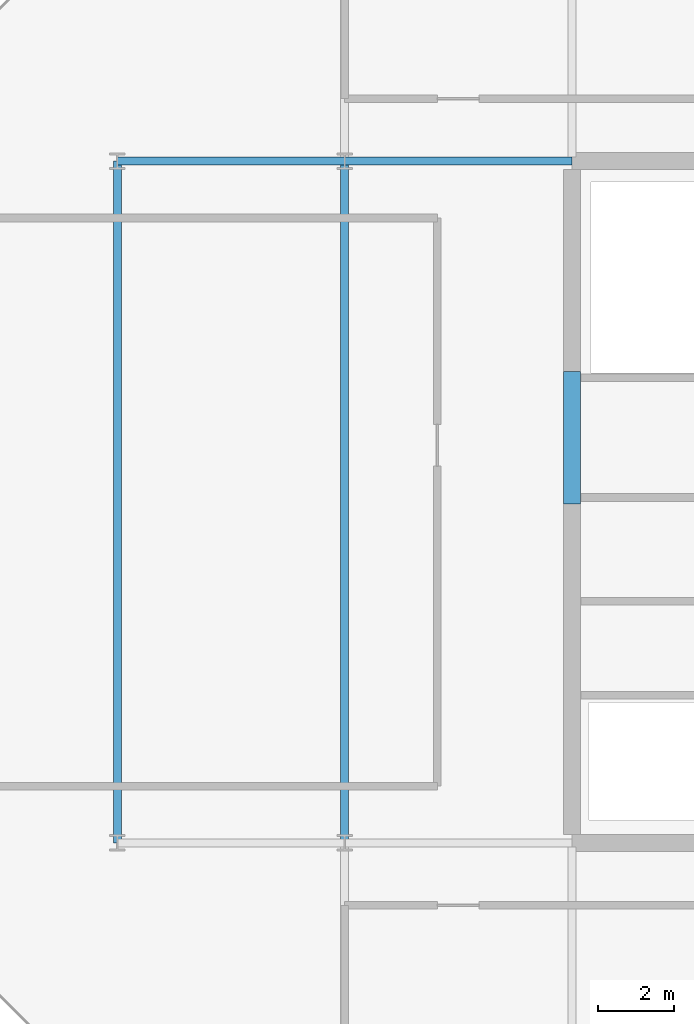
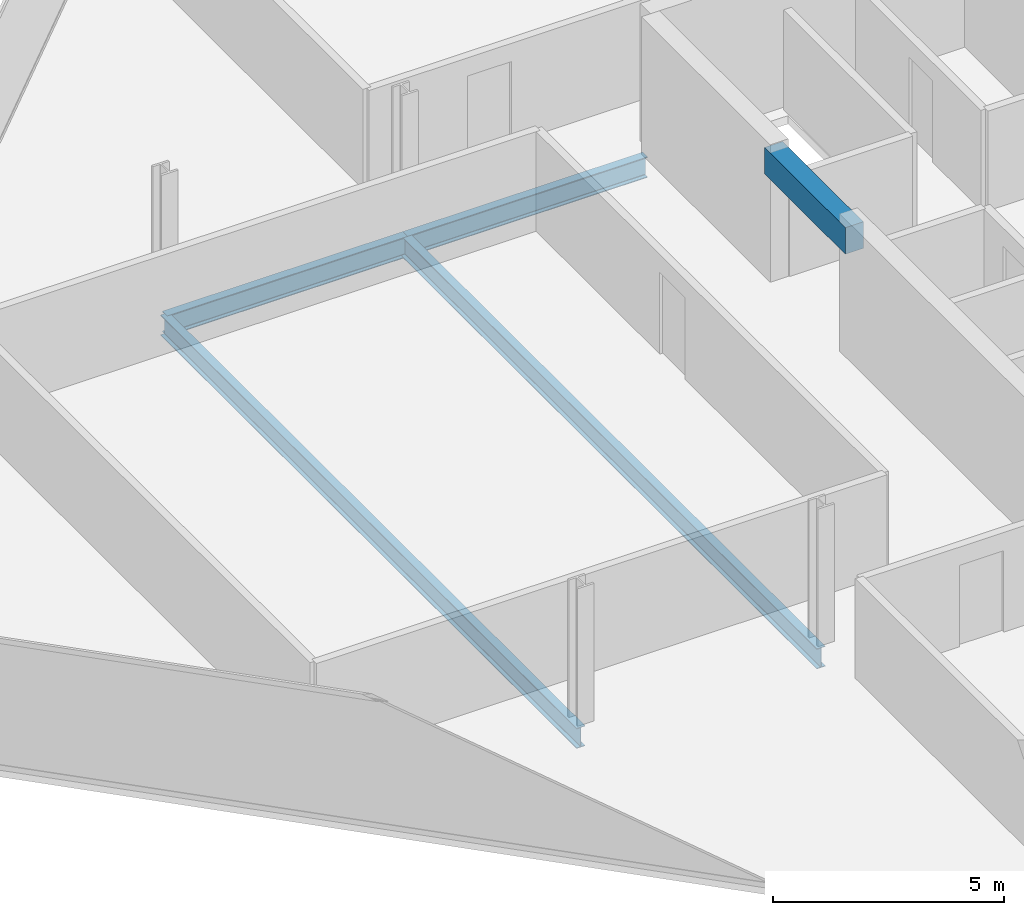
# One storey, part 5 of 16: 5 beams.
"""IFC4 building model written with IfcOpenShell, lengths in metres."""

from ifc_helpers import new_model, si_unit, direction, frame, origin, origin_2d, place, context, subcontext, project, spatial, rectangle, i_section, extrude, material, material_profile, profile_set, type_object, element, save


model = new_model("IFC4")

# Units and contexts
model_context = context("Model", 3, precision=1e-05, world=origin(), true_north=direction((0.0, 1.0)))
body_context = subcontext(model_context, "Body", "Model", "MODEL_VIEW")
ifc_project = project(units=[si_unit("LENGTHUNIT", "METRE"), si_unit("AREAUNIT", "SQUARE_METRE"), si_unit("VOLUMEUNIT", "CUBIC_METRE"), si_unit("PLANEANGLEUNIT", "RADIAN"), si_unit("MASSUNIT", "GRAM", prefix="KILO")], contexts=[model_context])

# Site, building, storey
site_placement = place(None, origin())
site = spatial("IfcSite", under=ifc_project, at=site_placement, CompositionType="ELEMENT")
building_placement = place(site_placement, origin())
building = spatial("IfcBuilding", under=site, at=building_placement, Name="Tanjung Sevakor Pilgrim Tower", CompositionType="ELEMENT")
storey_placement = place(building_placement, frame((0.0, 0.0, 271.590087890625)))
storey = spatial("IfcBuildingStorey", under=building, at=storey_placement, Name="L76", CompositionType="ELEMENT", Elevation=271.590087890625)

# Beams
ifc_material_1 = material(Name="Steel S355J2", Category="steel")
ifc_material_profile_1 = material_profile(ifc_material_1, i_section(OverallWidth=0.2119140625, OverallDepth=0.54443359375, WebThickness=0.0126953125, FlangeThickness=0.021240234375, FilletRadius=0.0126953125, at=origin_2d()))
ifc_profile_set_1 = profile_set([ifc_material_profile_1], Name="Steel S355J2")
beam_type_1 = type_object("IfcBeamType", Name="BM-B-G5-UB_533x210x122", PredefinedType="BEAM", material=ifc_profile_set_1)
for number, where, z_axis, x_axis, name in (
    (1, (66.0, 42.60009765625, -0.4921875), (1.0, 0.0, 0.0), (0.0, 1.0, 0.0), "L76 Primary Floor Girder EAST Y426-01"),
    (2, (72.0, 42.60009765625, -0.4921875), (1.0, 0.0, 0.0), (0.0, 1.0, 0.0), "L76 Primary Floor Girder EAST Y426-02"),
):
    element("IfcBeam", number, at=place(storey_placement, frame(where, z_axis=z_axis, x_axis=x_axis)), inside=storey, type_object=beam_type_1, Name=name, PredefinedType="BEAM", context=body_context, shape_type="SweptSolid", body=[
        extrude(i_section(OverallWidth=0.2119140625, OverallDepth=0.54443359375, WebThickness=0.0126953125, FlangeThickness=0.021240234375, FilletRadius=0.0126953125, at=origin_2d()), origin(), (0.0, 0.0, 1.0), 6.0),
    ])
ifc_material_2 = material(Name="Steel S355J2", Category="steel")
ifc_material_profile_2 = material_profile(ifc_material_2, i_section(OverallWidth=0.210693359375, OverallDepth=0.53955078125, WebThickness=0.01171875, FlangeThickness=0.018798828125, FilletRadius=0.0126953125, at=origin_2d()))
ifc_profile_set_2 = profile_set([ifc_material_profile_2], Name="Steel S355J2")
beam_type_2 = type_object("IfcBeamType", Name="BM-B-G6-UB_533x210x109", PredefinedType="BEAM", material=ifc_profile_set_2)
for number, where, z_axis, x_axis, name in (
    (3, (66.0, 24.60009765625, -0.48974609375), (0.0, 1.0, 0.0), (-1.0, 0.0, 0.0), "L76 EAST Girder 001"),
    (4, (72.0, 24.60009765625, -0.48974609375), (0.0, 1.0, 0.0), (-1.0, 0.0, 0.0), "L76 EAST Girder 003"),
):
    element("IfcBeam", number, at=place(storey_placement, frame(where, z_axis=z_axis, x_axis=x_axis)), inside=storey, type_object=beam_type_2, Name=name, PredefinedType="BEAM", context=body_context, shape_type="SweptSolid", body=[
        extrude(i_section(OverallWidth=0.210693359375, OverallDepth=0.53955078125, WebThickness=0.01171875, FlangeThickness=0.018798828125, FilletRadius=0.0126953125, at=origin_2d()), origin(), (0.0, 0.0, 1.0), 18.0),
    ])
ifc_material_3 = material(Name="Concrete C60/75", Category="concrete")
ifc_material_profile_3 = material_profile(ifc_material_3, rectangle(XDim=0.449951171875, YDim=0.699951171875, at=origin_2d()))
ifc_profile_set_3 = profile_set([ifc_material_profile_3], Name="Concrete C60/75")
beam_type_3 = type_object("IfcBeamType", Name="BM-B-LN3-RC-BM_450x700", PredefinedType="LINTEL", material=ifc_profile_set_3)
beam_placement = place(storey_placement, frame((78.0, 33.550048828125, 3.059814453125), z_axis=(0.0, 1.0, 0.0), x_axis=(-1.0, 0.0, 0.0)))
element("IfcBeam", 5, at=beam_placement, inside=storey, type_object=beam_type_3, Name="L76 E Core Coupling Lintel", PredefinedType="LINTEL", context=body_context, shape_type="SweptSolid", body=[
    extrude(rectangle(XDim=0.449951171875, YDim=0.699951171875, at=origin_2d()), origin(), (0.0, 0.0, 1.0), 3.5),
])

save(model, "model.ifc")
